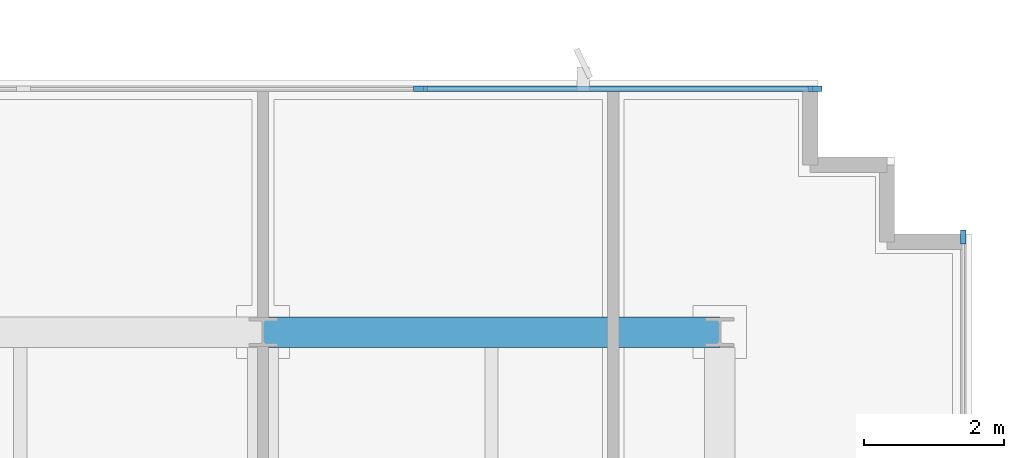
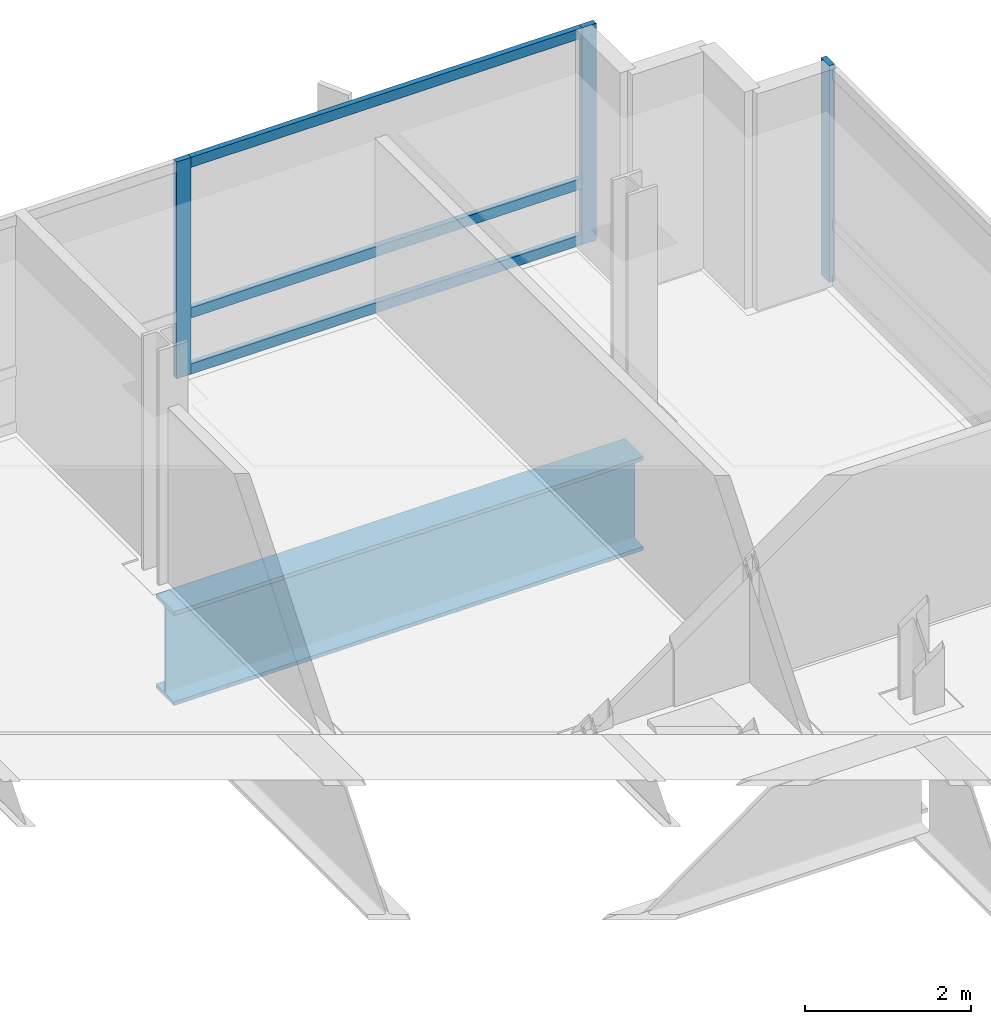
# One storey, part 6 of 16: 6 members, 1 beam, 2 elements without a shape of their own.
"""IFC4 building model written with IfcOpenShell, lengths in metres."""

from ifc_helpers import new_model, si_unit, direction, frame, origin, origin_2d, place, context, subcontext, project, spatial, rectangle, i_section, extrude, material, material_profile, profile_set, type_object, element, aggregate, save


model = new_model("IFC4")

# Units and contexts
model_context = context("Model", 3, precision=1e-05, world=origin(), true_north=direction((0.0, 1.0)))
body_context = subcontext(model_context, "Body", "Model", "MODEL_VIEW")
ifc_project = project(units=[si_unit("LENGTHUNIT", "METRE"), si_unit("AREAUNIT", "SQUARE_METRE"), si_unit("VOLUMEUNIT", "CUBIC_METRE"), si_unit("PLANEANGLEUNIT", "RADIAN"), si_unit("MASSUNIT", "GRAM", prefix="KILO")], contexts=[model_context])

# Site, building, storey
site_placement = place(None, origin())
site = spatial("IfcSite", under=ifc_project, at=site_placement, CompositionType="ELEMENT")
building_placement = place(site_placement, origin())
building = spatial("IfcBuilding", under=site, at=building_placement, Name="Solmavex Isthmus Hotel", CompositionType="ELEMENT")
storey_placement = place(building_placement, frame((0.0, 0.0, 245.39990234375)))
storey = spatial("IfcBuildingStorey", under=building, at=storey_placement, Name="L66", CompositionType="ELEMENT", Elevation=245.39990234375)

# Beam
ifc_material_1 = material(Name="Steel ASTM A572 Grade 50", Category="steel")
ifc_material_profile_1 = material_profile(ifc_material_1, i_section(OverallWidth=0.43994140625, OverallDepth=1.3798828125, WebThickness=0.030029296875, FlangeThickness=0.054931640625, FilletRadius=0.030517578125, at=origin_2d()), Name="I1380X440")
ifc_profile_set_1 = profile_set([ifc_material_profile_1], Name="Steel ASTM A572 Grade 50")
beam_type = type_object("IfcBeamType", Name="BM-TG-I1380", PredefinedType="BEAM", material=ifc_profile_set_1)
beam_placement = place(storey_placement, frame((13.8720703125, 17.699951171875, -1.139892578125), z_axis=(1.0, 0.0, 0.0), x_axis=(0.0, 1.0, 0.0)))
element("IfcBeam", 1, at=beam_placement, inside=storey, type_object=beam_type, Name="Outrigger Collector Girder L66-UG20", PredefinedType="BEAM", context=body_context, shape_type="SweptSolid", body=[
    extrude(i_section(OverallWidth=0.43994140625, OverallDepth=1.3798828125, WebThickness=0.030029296875, FlangeThickness=0.054931640625, FilletRadius=0.030517578125, at=origin_2d()), origin(), (0.0, 0.0, 1.0), 6.52783203125),
])

# Curtain wall, members
ifc_material_2 = material(Name="Aluminium alloy 6063-T6", Category="aluminium")
curtain_wall_type = type_object("IfcCurtainWallType", Name="CW-SYS-04", PredefinedType="NOTDEFINED", material=ifc_material_2)
curtain_wall_1_placement = place(storey_placement, origin())
curtain_wall_1 = element("IfcCurtainWall", 2, at=curtain_wall_1_placement, inside=storey, type_object=curtain_wall_type, Name="Stick Curtain Wall CWL-L66-N3", PredefinedType="NOTDEFINED")
ifc_material_profile_2 = material_profile(ifc_material_2, rectangle(XDim=0.074951171875, YDim=0.199951171875, at=origin_2d()), Name="CWM-75X200")
ifc_profile_set_2 = profile_set([ifc_material_profile_2], Name="Aluminium alloy 6063-T6")
member_type_1 = type_object("IfcMemberType", Name="CW-SYS-04-MUL", PredefinedType="MULLION", material=ifc_profile_set_2)
member_1_placement = place(storey_placement, frame((16.12255859375, 21.179931640625, 0.0), z_axis=(0.0, 0.0, 1.0), x_axis=(0.0, 1.0, 0.0)))
member_1 = element("IfcMember", 3, at=member_1_placement, type_object=member_type_1, Name="CW-04 mullion 3", PredefinedType="MULLION", context=body_context, shape_type="SweptSolid", body=[
    extrude(rectangle(XDim=0.074951171875, YDim=0.199951171875, at=origin_2d()), origin(), (0.0, 0.0, 1.0), 3.190185546875),
])
member_2_placement = place(storey_placement, frame((21.762451171875, 21.179931640625, 0.0), z_axis=(0.0, 0.0, 1.0), x_axis=(0.0, 1.0, 0.0)))
member_2 = element("IfcMember", 4, at=member_2_placement, type_object=member_type_1, Name="CW-04 mullion 4", PredefinedType="MULLION", context=body_context, shape_type="SweptSolid", body=[
    extrude(rectangle(XDim=0.074951171875, YDim=0.199951171875, at=origin_2d()), origin(), (0.0, 0.0, 1.0), 3.190185546875),
])

# Curtain wall, member
curtain_wall_2_placement = place(storey_placement, origin())
curtain_wall_2 = element("IfcCurtainWall", 5, at=curtain_wall_2_placement, inside=storey, type_object=curtain_wall_type, Name="Stick Curtain Wall CWL-L66-E1", PredefinedType="NOTDEFINED")
member_3_placement = place(storey_placement, frame((23.8798828125, 19.0625, 0.0), z_axis=(0.0, 0.0, 1.0), x_axis=(-1.0, 0.0, 0.0)))
member_3 = element("IfcMember", 6, at=member_3_placement, type_object=member_type_1, Name="CW-04 mullion 6", PredefinedType="MULLION", context=body_context, shape_type="SweptSolid", body=[
    extrude(rectangle(XDim=0.074951171875, YDim=0.199951171875, at=origin_2d()), origin(), (0.0, 0.0, 1.0), 3.190185546875),
])
aggregate(curtain_wall_2, [member_3])

# Member
ifc_material_profile_3 = material_profile(ifc_material_2, rectangle(XDim=0.074951171875, YDim=0.14990234375, at=origin_2d()), Name="CWT-75X150")
ifc_profile_set_3 = profile_set([ifc_material_profile_3], Name="Aluminium alloy 6063-T6")
member_type_2 = type_object("IfcMemberType", Name="CW-SYS-04-TRN", PredefinedType="USERDEFINED", material=ifc_profile_set_3)
member_4_placement = place(storey_placement, frame((16.16015625, 21.179931640625, 0.0751953125), z_axis=(1.0, 0.0, 0.0), x_axis=(0.0, 1.0, 0.0)))
member_4 = element("IfcMember", 7, at=member_4_placement, type_object=member_type_2, Name="CW-04 transom 3.1", ObjectType="TRANSOM", PredefinedType="USERDEFINED", context=body_context, shape_type="SweptSolid", body=[
    extrude(rectangle(XDim=0.074951171875, YDim=0.14990234375, at=origin_2d()), origin(), (0.0, 0.0, 1.0), 5.56494140625),
])

member_5_placement = place(storey_placement, frame((16.16015625, 21.179931640625, 0.900146484375), z_axis=(1.0, 0.0, 0.0), x_axis=(0.0, 1.0, 0.0)))
member_5 = element("IfcMember", 8, at=member_5_placement, type_object=member_type_2, Name="CW-04 transom 3.2", ObjectType="TRANSOM", PredefinedType="USERDEFINED", context=body_context, shape_type="SweptSolid", body=[
    extrude(rectangle(XDim=0.074951171875, YDim=0.14990234375, at=origin_2d()), origin(), (0.0, 0.0, 1.0), 5.56494140625),
])

member_6_placement = place(storey_placement, frame((16.16015625, 21.179931640625, 3.114990234375), z_axis=(1.0, 0.0, 0.0), x_axis=(0.0, 1.0, 0.0)))
member_6 = element("IfcMember", 9, at=member_6_placement, type_object=member_type_2, Name="CW-04 transom 3.3", ObjectType="TRANSOM", PredefinedType="USERDEFINED", context=body_context, shape_type="SweptSolid", body=[
    extrude(rectangle(XDim=0.074951171875, YDim=0.14990234375, at=origin_2d()), origin(), (0.0, 0.0, 1.0), 5.56494140625),
])

aggregate(curtain_wall_1, [member_1, member_2, member_4, member_5, member_6])

save(model, "model.ifc")
